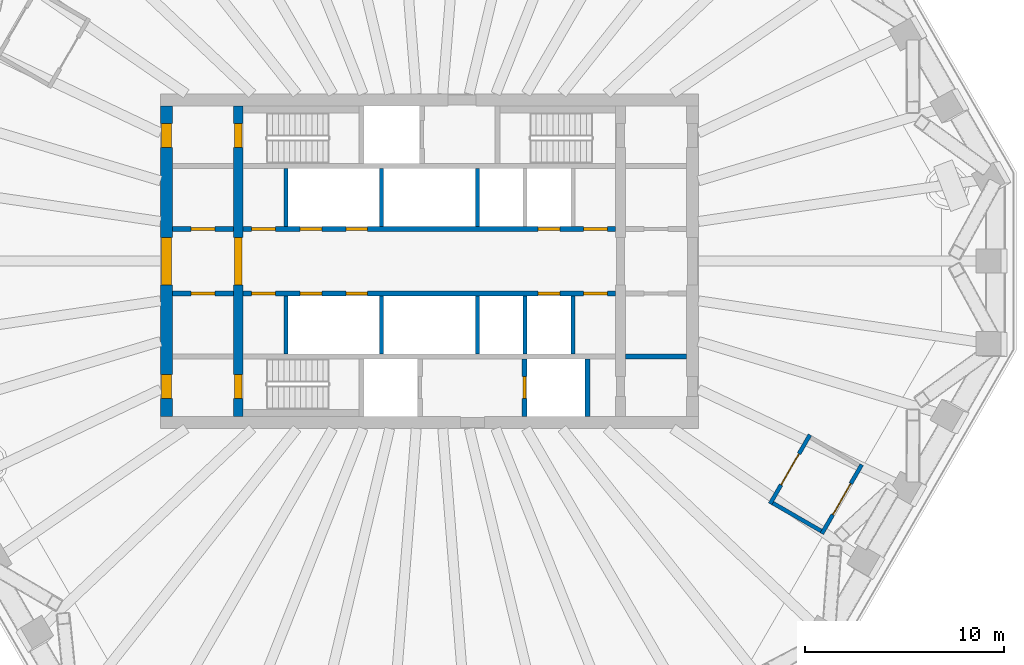
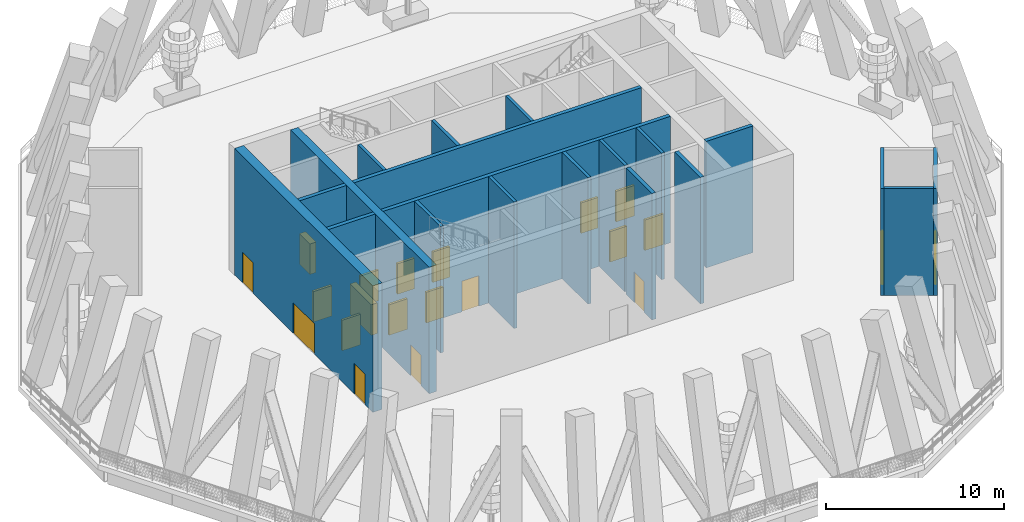
# One storey, part 4 of 11: 21 doors, 20 walls, 21 openings.
"""IFC4 building model written with IfcOpenShell, lengths in metres."""

from ifc_helpers import new_model, si_unit, direction, frame, frame_2d, origin, place, context, subcontext, project, spatial, rectangle, extrude, material, layer, layer_set, type_object, element, fill, save


model = new_model("IFC4")

# Units and contexts
model_context = context("Model", 3, precision=1e-05, world=origin(), true_north=direction((0.0, 1.0)))
body_context = subcontext(model_context, "Body", "Model", "MODEL_VIEW")
ifc_project = project(units=[si_unit("LENGTHUNIT", "METRE"), si_unit("AREAUNIT", "SQUARE_METRE"), si_unit("VOLUMEUNIT", "CUBIC_METRE"), si_unit("PLANEANGLEUNIT", "RADIAN"), si_unit("MASSUNIT", "GRAM", prefix="KILO")], contexts=[model_context])

# Site, building, storey
site_placement = place(None, origin())
site = spatial("IfcSite", under=ifc_project, at=site_placement, CompositionType="ELEMENT")
building_placement = place(site_placement, origin())
building = spatial("IfcBuilding", under=site, at=building_placement, Name="Frailejon Research Tower", CompositionType="ELEMENT")
storey_placement = place(building_placement, frame((0.0, 0.0, 202.39990234375)))
storey = spatial("IfcBuildingStorey", under=building, at=storey_placement, Name="L44", CompositionType="ELEMENT", Elevation=202.39990234375)

# Wall, openings, doors
ifc_material_1 = material(Name="Concrete C60/75", Category="concrete")
ifc_layer_1 = layer(ifc_material_1, 0.5)
ifc_layer_set_1 = layer_set([ifc_layer_1], Name="Core shear wall 500 C60/75")
wall_type_1 = type_object("IfcWallType", Name="Core shear wall 500 C60/75", PredefinedType="SHEAR", material=ifc_layer_set_1)
wall_1_placement = place(storey_placement, frame((-9.60009765625, -7.800048828125, 0.0), z_axis=(0.0, 0.0, 1.0), x_axis=(0.0, 1.0, 0.0)))
wall_1 = element("IfcWall", 1, at=wall_1_placement, inside=storey, type_object=wall_type_1, Name="Core shear wall", PredefinedType="SHEAR", context=body_context, shape_type="SweptSolid", body=[
    extrude(rectangle(XDim=15.60009765625, YDim=0.5, at=frame_2d((7.800048828125, 0.0))), origin(), (0.0, 0.0, 1.0), 8.7001953125),
])
opening_1_placement = place(wall_1_placement, frame((6.60009765625, 0.0, 0.0)))
opening_1 = element("IfcOpeningElement", 2, at=opening_1_placement, cuts=wall_1, Name="Opening D2", PredefinedType="OPENING", context=body_context, shape_type="SweptSolid", body=[
    extrude(rectangle(XDim=2.39990234375, YDim=2.10009765625, at=frame_2d((1.199951171875, 1.050048828125))), frame((0.0, 0.260009765625, 0.0), z_axis=(0.0, -1.0, 0.0), x_axis=(1.0, 0.0, 0.0)), (0.0, 0.0, 1.0), 0.52001953125),
])
opening_2_placement = place(wall_1_placement, frame((13.5, 0.0, 0.0)))
opening_2 = element("IfcOpeningElement", 3, at=opening_2_placement, cuts=wall_1, Name="Opening D1", PredefinedType="OPENING", context=body_context, shape_type="SweptSolid", body=[
    extrude(rectangle(XDim=1.199951171875, YDim=2.10009765625, at=frame_2d((0.60009765625, 1.050048828125))), frame((0.0, 0.260009765625, 0.0), z_axis=(0.0, -1.0, 0.0), x_axis=(1.0, 0.0, 0.0)), (0.0, 0.0, 1.0), 0.52001953125),
])
opening_3_placement = place(wall_1_placement, frame((0.89990234375, 0.0, 0.0)))
opening_3 = element("IfcOpeningElement", 4, at=opening_3_placement, cuts=wall_1, Name="Opening D1", PredefinedType="OPENING", context=body_context, shape_type="SweptSolid", body=[
    extrude(rectangle(XDim=1.199951171875, YDim=2.10009765625, at=frame_2d((0.60009765625, 1.050048828125))), frame((0.0, 0.260009765625, 0.0), z_axis=(0.0, -1.0, 0.0), x_axis=(1.0, 0.0, 0.0)), (0.0, 0.0, 1.0), 0.52001953125),
])
ifc_material_2 = material(Name="Steel", Category="steel")
door_type_1 = type_object("IfcDoorType", Name="Lobby double door", OperationType="DOUBLE_DOOR_SINGLE_SWING", PredefinedType="DOOR", material=ifc_material_2)
door_1_placement = place(opening_1_placement, origin())
door_1 = element("IfcDoor", 5, at=door_1_placement, inside=storey, type_object=door_type_1, Name="Lobby door", OperationType="DOUBLE_DOOR_SINGLE_SWING", OverallHeight=2.10009765625, OverallWidth=2.39990234375, PredefinedType="DOOR", context=body_context, shape_type="SweptSolid", body=[
    extrude(rectangle(XDim=2.39990234375, YDim=2.10009765625, at=frame_2d((1.199951171875, 1.050048828125))), frame((0.0, 0.199951171875, 0.0), z_axis=(0.0, -1.0, 0.0), x_axis=(1.0, 0.0, 0.0)), (0.0, 0.0, 1.0), 0.39990234375),
])
fill(opening_1, door_1)
ifc_material_3 = material(Name="Steel", Category="steel")
door_type_2 = type_object("IfcDoorType", Name="Stair door", OperationType="SINGLE_SWING_LEFT", PredefinedType="DOOR", material=ifc_material_3)
door_2_placement = place(opening_2_placement, origin())
door_2 = element("IfcDoor", 6, at=door_2_placement, inside=storey, type_object=door_type_2, Name="Stair door ST1", OperationType="SINGLE_SWING_RIGHT", OverallHeight=2.10009765625, OverallWidth=1.199951171875, PredefinedType="DOOR", context=body_context, shape_type="SweptSolid", body=[
    extrude(rectangle(XDim=1.199951171875, YDim=2.10009765625, at=frame_2d((0.60009765625, 1.050048828125))), frame((0.0, 0.199951171875, 0.0), z_axis=(0.0, -1.0, 0.0), x_axis=(1.0, 0.0, 0.0)), (0.0, 0.0, 1.0), 0.39990234375),
])
fill(opening_2, door_2)
door_3_placement = place(opening_3_placement, origin())
door_3 = element("IfcDoor", 7, at=door_3_placement, inside=storey, type_object=door_type_2, Name="Stair door ST2", OperationType="SINGLE_SWING_RIGHT", OverallHeight=2.10009765625, OverallWidth=1.199951171875, PredefinedType="DOOR", context=body_context, shape_type="SweptSolid", body=[
    extrude(rectangle(XDim=1.199951171875, YDim=2.10009765625, at=frame_2d((0.60009765625, 1.050048828125))), frame((0.0, 0.199951171875, 0.0), z_axis=(0.0, -1.0, 0.0), x_axis=(1.0, 0.0, 0.0)), (0.0, 0.0, 1.0), 0.39990234375),
])
fill(opening_3, door_3)

ifc_material_4 = material(Name="Concrete C60/75", Category="concrete")
ifc_layer_2 = layer(ifc_material_4, 0.60009765625)
ifc_layer_set_2 = layer_set([ifc_layer_2], Name="Core shear wall 600 C60/75")
wall_type_2 = type_object("IfcWallType", Name="Core shear wall 600 C60/75", PredefinedType="SHEAR", material=ifc_layer_set_2)
wall_2_placement = place(storey_placement, frame((-13.199951171875, -7.800048828125, 0.0), z_axis=(0.0, 0.0, 1.0), x_axis=(0.0, 1.0, 0.0)))
wall_2 = element("IfcWall", 8, at=wall_2_placement, inside=storey, type_object=wall_type_2, Name="Core shear wall", PredefinedType="SHEAR", context=body_context, shape_type="SweptSolid", body=[
    extrude(rectangle(XDim=15.60009765625, YDim=0.60009765625, at=frame_2d((7.800048828125, 0.0))), origin(), (0.0, 0.0, 1.0), 8.7001953125),
])
opening_4_placement = place(wall_2_placement, frame((6.60009765625, 0.0, 0.0)))
opening_4 = element("IfcOpeningElement", 9, at=opening_4_placement, cuts=wall_2, Name="Opening D2", PredefinedType="OPENING", context=body_context, shape_type="SweptSolid", body=[
    extrude(rectangle(XDim=2.39990234375, YDim=2.10009765625, at=frame_2d((1.199951171875, 1.050048828125))), frame((0.0, 0.31005859375, 0.0), z_axis=(0.0, -1.0, 0.0), x_axis=(1.0, 0.0, 0.0)), (0.0, 0.0, 1.0), 0.6201171875),
])
opening_5_placement = place(wall_2_placement, frame((13.5, 0.0, 0.0)))
opening_5 = element("IfcOpeningElement", 10, at=opening_5_placement, cuts=wall_2, Name="Opening D7", PredefinedType="OPENING", context=body_context, shape_type="SweptSolid", body=[
    extrude(rectangle(XDim=1.199951171875, YDim=2.10009765625, at=frame_2d((0.60009765625, 1.050048828125))), frame((0.0, 0.31005859375, 0.0), z_axis=(0.0, -1.0, 0.0), x_axis=(1.0, 0.0, 0.0)), (0.0, 0.0, 1.0), 0.6201171875),
])
opening_6_placement = place(wall_2_placement, frame((0.89990234375, 0.0, 0.0)))
opening_6 = element("IfcOpeningElement", 11, at=opening_6_placement, cuts=wall_2, Name="Opening D7", PredefinedType="OPENING", context=body_context, shape_type="SweptSolid", body=[
    extrude(rectangle(XDim=1.199951171875, YDim=2.10009765625, at=frame_2d((0.60009765625, 1.050048828125))), frame((0.0, 0.31005859375, 0.0), z_axis=(0.0, -1.0, 0.0), x_axis=(1.0, 0.0, 0.0)), (0.0, 0.0, 1.0), 0.6201171875),
])
door_4_placement = place(opening_4_placement, origin())
door_4 = element("IfcDoor", 12, at=door_4_placement, inside=storey, type_object=door_type_1, Name="Lobby door", OperationType="DOUBLE_DOOR_SINGLE_SWING", OverallHeight=2.10009765625, OverallWidth=2.39990234375, PredefinedType="DOOR", context=body_context, shape_type="SweptSolid", body=[
    extrude(rectangle(XDim=2.39990234375, YDim=2.10009765625, at=frame_2d((1.199951171875, 1.050048828125))), frame((0.0, 0.25, 0.0), z_axis=(0.0, -1.0, 0.0), x_axis=(1.0, 0.0, 0.0)), (0.0, 0.0, 1.0), 0.5),
])
fill(opening_4, door_4)
ifc_material_5 = material(Name="Steel", Category="steel")
door_type_3 = type_object("IfcDoorType", Name="Stair exit door", OperationType="SINGLE_SWING_LEFT", PredefinedType="DOOR", material=ifc_material_5)
door_5_placement = place(opening_5_placement, origin())
door_5 = element("IfcDoor", 13, at=door_5_placement, inside=storey, type_object=door_type_3, Name="Stair exit door ST1", OperationType="SINGLE_SWING_LEFT", OverallHeight=2.10009765625, OverallWidth=1.199951171875, PredefinedType="DOOR", context=body_context, shape_type="SweptSolid", body=[
    extrude(rectangle(XDim=1.199951171875, YDim=2.10009765625, at=frame_2d((0.60009765625, 1.050048828125))), frame((0.0, 0.25, 0.0), z_axis=(0.0, -1.0, 0.0), x_axis=(1.0, 0.0, 0.0)), (0.0, 0.0, 1.0), 0.5),
])
fill(opening_5, door_5)
door_6_placement = place(opening_6_placement, origin())
door_6 = element("IfcDoor", 14, at=door_6_placement, inside=storey, type_object=door_type_3, Name="Stair exit door ST2", OperationType="SINGLE_SWING_LEFT", OverallHeight=2.10009765625, OverallWidth=1.199951171875, PredefinedType="DOOR", context=body_context, shape_type="SweptSolid", body=[
    extrude(rectangle(XDim=1.199951171875, YDim=2.10009765625, at=frame_2d((0.60009765625, 1.050048828125))), frame((0.0, 0.25, 0.0), z_axis=(0.0, -1.0, 0.0), x_axis=(1.0, 0.0, 0.0)), (0.0, 0.0, 1.0), 0.5),
])
fill(opening_6, door_6)

# Walls
ifc_material_6 = material(Name="Concrete C60/75", Category="concrete")
ifc_layer_3 = layer(ifc_material_6, 0.199951171875)
ifc_layer_set_3 = layer_set([ifc_layer_3], Name="Shaft wall 200 C60/75")
wall_type_3 = type_object("IfcWallType", Name="Shaft wall 200 C60/75", PredefinedType="SOLIDWALL", material=ifc_layer_set_3)
for number, where, z_axis, x_axis, name in (
    (15, (-7.199951171875, 1.75, 0.0), (0.0, 0.0, 1.0), (0.0, 1.0, 0.0), "Shaft wall"),
    (16, (-2.39990234375, 1.75, 0.0), (0.0, 0.0, 1.0), (0.0, 1.0, 0.0), "Shaft wall"),
    (17, (2.39990234375, 1.75, 0.0), (0.0, 0.0, 1.0), (0.0, 1.0, 0.0), "Shaft wall"),
    (18, (-7.199951171875, -4.64990234375, 0.0), (0.0, 0.0, 1.0), (0.0, 1.0, 0.0), "Shaft wall"),
    (19, (-2.39990234375, -4.64990234375, 0.0), (0.0, 0.0, 1.0), (0.0, 1.0, 0.0), "Shaft wall"),
    (20, (2.39990234375, -4.64990234375, 0.0), (0.0, 0.0, 1.0), (0.0, 1.0, 0.0), "Shaft wall"),
    (21, (4.800048828125, -4.64990234375, 0.0), (0.0, 0.0, 1.0), (0.0, 1.0, 0.0), "Shaft wall"),
    (22, (7.199951171875, -4.64990234375, 0.0), (0.0, 0.0, 1.0), (0.0, 1.0, 0.0), "Shaft wall"),
):
    element("IfcWall", number, at=place(storey_placement, frame(where, z_axis=z_axis, x_axis=x_axis)), inside=storey, type_object=wall_type_3, Name=name, PredefinedType="SOLIDWALL", context=body_context, shape_type="SweptSolid", body=[
        extrude(rectangle(XDim=2.89990234375, YDim=0.199951171875, at=frame_2d((1.449951171875, 0.0))), origin(), (0.0, 0.0, 1.0), 8.7001953125),
    ])

# Wall, opening, door
ifc_material_7 = material(Name="Concrete C60/75", Category="concrete")
ifc_layer_4 = layer(ifc_material_7, 0.25)
ifc_layer_set_4 = layer_set([ifc_layer_4], Name="Shaft wall 250 C60/75")
wall_type_4 = type_object("IfcWallType", Name="Shaft wall 250 C60/75", PredefinedType="SOLIDWALL", material=ifc_layer_set_4)
wall_3_placement = place(storey_placement, frame((-12.89990234375, 1.625, 0.0), z_axis=(0.0, 0.0, 1.0), x_axis=(1.0, 0.0, 0.0)))
wall_3 = element("IfcWall", 23, at=wall_3_placement, inside=storey, type_object=wall_type_4, Name="Shaft wall", PredefinedType="SOLIDWALL", context=body_context, shape_type="SweptSolid", body=[
    extrude(rectangle(XDim=3.0498046875, YDim=0.25, at=frame_2d((1.52490234375, 0.0))), origin(), (0.0, 0.0, 1.0), 8.7001953125),
])
opening_7_placement = place(wall_3_placement, frame((0.925048828125, 0.0, 0.0)))
opening_7 = element("IfcOpeningElement", 24, at=opening_7_placement, cuts=wall_3, Name="Opening D6", PredefinedType="OPENING", context=body_context, shape_type="SweptSolid", body=[
    extrude(rectangle(XDim=1.199951171875, YDim=2.10009765625, at=frame_2d((0.60009765625, 1.050048828125))), frame((0.0, 0.135009765625, 0.0), z_axis=(0.0, -1.0, 0.0), x_axis=(1.0, 0.0, 0.0)), (0.0, 0.0, 1.0), 0.27001953125),
])
ifc_material_8 = material(Name="Steel", Category="steel")
door_type_4 = type_object("IfcDoorType", Name="Plant door", OperationType="SINGLE_SWING_LEFT", PredefinedType="DOOR", material=ifc_material_8)
door_7_placement = place(opening_7_placement, origin())
door_7 = element("IfcDoor", 25, at=door_7_placement, inside=storey, type_object=door_type_4, Name="Room door", OperationType="SINGLE_SWING_RIGHT", OverallHeight=2.10009765625, OverallWidth=1.199951171875, PredefinedType="DOOR", context=body_context, shape_type="SweptSolid", body=[
    extrude(rectangle(XDim=1.199951171875, YDim=2.10009765625, at=frame_2d((0.60009765625, 1.050048828125))), frame((0.0, 0.074951171875, 0.0), z_axis=(0.0, -1.0, 0.0), x_axis=(1.0, 0.0, 0.0)), (0.0, 0.0, 1.0), 0.14990234375),
])
fill(opening_7, door_7)

# Wall, openings, doors
wall_4_placement = place(storey_placement, frame((-9.35009765625, 1.625, 0.0), z_axis=(0.0, 0.0, 1.0), x_axis=(1.0, 0.0, 0.0)))
wall_4 = element("IfcWall", 26, at=wall_4_placement, inside=storey, type_object=wall_type_4, Name="Shaft wall", PredefinedType="SOLIDWALL", context=body_context, shape_type="SweptSolid", body=[
    extrude(rectangle(XDim=18.7001953125, YDim=0.25, at=frame_2d((9.35009765625, 0.0))), origin(), (0.0, 0.0, 1.0), 8.7001953125),
])
opening_8_placement = place(wall_4_placement, frame((2.85009765625, 0.0, 0.0)))
opening_8 = element("IfcOpeningElement", 27, at=opening_8_placement, cuts=wall_4, Name="Opening LD", PredefinedType="OPENING", context=body_context, shape_type="SweptSolid", body=[
    extrude(rectangle(XDim=1.10009765625, YDim=2.10009765625, at=frame_2d((0.550048828125, 1.050048828125))), frame((0.0, 0.135009765625, 0.0), z_axis=(0.0, -1.0, 0.0), x_axis=(1.0, 0.0, 0.0)), (0.0, 0.0, 1.0), 0.27001953125),
])
opening_9_placement = place(wall_4_placement, frame((5.14990234375, 0.0, 0.0)))
opening_9 = element("IfcOpeningElement", 28, at=opening_9_placement, cuts=wall_4, Name="Opening LD", PredefinedType="OPENING", context=body_context, shape_type="SweptSolid", body=[
    extrude(rectangle(XDim=1.10009765625, YDim=2.10009765625, at=frame_2d((0.550048828125, 1.050048828125))), frame((0.0, 0.135009765625, 0.0), z_axis=(0.0, -1.0, 0.0), x_axis=(1.0, 0.0, 0.0)), (0.0, 0.0, 1.0), 0.27001953125),
])
opening_10_placement = place(wall_4_placement, frame((14.800048828125, 0.0, 0.0)))
opening_10 = element("IfcOpeningElement", 29, at=opening_10_placement, cuts=wall_4, Name="Opening LD", PredefinedType="OPENING", context=body_context, shape_type="SweptSolid", body=[
    extrude(rectangle(XDim=1.10009765625, YDim=2.10009765625, at=frame_2d((0.550048828125, 1.050048828125))), frame((0.0, 0.135009765625, 0.0), z_axis=(0.0, -1.0, 0.0), x_axis=(1.0, 0.0, 0.0)), (0.0, 0.0, 1.0), 0.27001953125),
])
opening_11_placement = place(wall_4_placement, frame((0.425048828125, 0.0, 0.0)))
opening_11 = element("IfcOpeningElement", 30, at=opening_11_placement, cuts=wall_4, Name="Opening D6", PredefinedType="OPENING", context=body_context, shape_type="SweptSolid", body=[
    extrude(rectangle(XDim=1.199951171875, YDim=2.10009765625, at=frame_2d((0.60009765625, 1.050048828125))), frame((0.0, 0.135009765625, 0.0), z_axis=(0.0, -1.0, 0.0), x_axis=(1.0, 0.0, 0.0)), (0.0, 0.0, 1.0), 0.27001953125),
])
opening_12_placement = place(wall_4_placement, frame((17.074951171875, 0.0, 0.0)))
opening_12 = element("IfcOpeningElement", 31, at=opening_12_placement, cuts=wall_4, Name="Opening D5", PredefinedType="OPENING", context=body_context, shape_type="SweptSolid", body=[
    extrude(rectangle(XDim=1.199951171875, YDim=2.10009765625, at=frame_2d((0.60009765625, 1.050048828125))), frame((0.0, 0.135009765625, 0.0), z_axis=(0.0, -1.0, 0.0), x_axis=(1.0, 0.0, 0.0)), (0.0, 0.0, 1.0), 0.27001953125),
])
ifc_material_9 = material(Name="Steel", Category="steel")
door_type_5 = type_object("IfcDoorType", Name="Lift landing door", OperationType="DOUBLE_DOOR_SLIDING", PredefinedType="DOOR", material=ifc_material_9)
door_8_placement = place(opening_8_placement, origin())
door_8 = element("IfcDoor", 32, at=door_8_placement, inside=storey, type_object=door_type_5, Name="Lift landing door", OperationType="DOUBLE_DOOR_SLIDING", OverallHeight=2.10009765625, OverallWidth=1.10009765625, PredefinedType="DOOR", context=body_context, shape_type="SweptSolid", body=[
    extrude(rectangle(XDim=1.10009765625, YDim=2.10009765625, at=frame_2d((0.550048828125, 1.050048828125))), frame((0.0, 0.074951171875, 0.0), z_axis=(0.0, -1.0, 0.0), x_axis=(1.0, 0.0, 0.0)), (0.0, 0.0, 1.0), 0.14990234375),
])
fill(opening_8, door_8)
door_9_placement = place(opening_9_placement, origin())
door_9 = element("IfcDoor", 33, at=door_9_placement, inside=storey, type_object=door_type_5, Name="Lift landing door", OperationType="DOUBLE_DOOR_SLIDING", OverallHeight=2.10009765625, OverallWidth=1.10009765625, PredefinedType="DOOR", context=body_context, shape_type="SweptSolid", body=[
    extrude(rectangle(XDim=1.10009765625, YDim=2.10009765625, at=frame_2d((0.550048828125, 1.050048828125))), frame((0.0, 0.074951171875, 0.0), z_axis=(0.0, -1.0, 0.0), x_axis=(1.0, 0.0, 0.0)), (0.0, 0.0, 1.0), 0.14990234375),
])
fill(opening_9, door_9)
door_10_placement = place(opening_10_placement, origin())
door_10 = element("IfcDoor", 34, at=door_10_placement, inside=storey, type_object=door_type_5, Name="Lift landing door", OperationType="DOUBLE_DOOR_SLIDING", OverallHeight=2.10009765625, OverallWidth=1.10009765625, PredefinedType="DOOR", context=body_context, shape_type="SweptSolid", body=[
    extrude(rectangle(XDim=1.10009765625, YDim=2.10009765625, at=frame_2d((0.550048828125, 1.050048828125))), frame((0.0, 0.074951171875, 0.0), z_axis=(0.0, -1.0, 0.0), x_axis=(1.0, 0.0, 0.0)), (0.0, 0.0, 1.0), 0.14990234375),
])
fill(opening_10, door_10)
door_11_placement = place(opening_11_placement, origin())
door_11 = element("IfcDoor", 35, at=door_11_placement, inside=storey, type_object=door_type_4, Name="Room door", OperationType="SINGLE_SWING_LEFT", OverallHeight=2.10009765625, OverallWidth=1.199951171875, PredefinedType="DOOR", context=body_context, shape_type="SweptSolid", body=[
    extrude(rectangle(XDim=1.199951171875, YDim=2.10009765625, at=frame_2d((0.60009765625, 1.050048828125))), frame((0.0, 0.074951171875, 0.0), z_axis=(0.0, -1.0, 0.0), x_axis=(1.0, 0.0, 0.0)), (0.0, 0.0, 1.0), 0.14990234375),
])
fill(opening_11, door_11)
ifc_material_10 = material(Name="Steel", Category="steel")
door_type_6 = type_object("IfcDoorType", Name="Refuge door", OperationType="SINGLE_SWING_LEFT", PredefinedType="DOOR", material=ifc_material_10)
door_12_placement = place(opening_12_placement, origin())
door_12 = element("IfcDoor", 36, at=door_12_placement, inside=storey, type_object=door_type_6, Name="Room door", OperationType="SINGLE_SWING_RIGHT", OverallHeight=2.10009765625, OverallWidth=1.199951171875, PredefinedType="DOOR", context=body_context, shape_type="SweptSolid", body=[
    extrude(rectangle(XDim=1.199951171875, YDim=2.10009765625, at=frame_2d((0.60009765625, 1.050048828125))), frame((0.0, 0.074951171875, 0.0), z_axis=(0.0, -1.0, 0.0), x_axis=(1.0, 0.0, 0.0)), (0.0, 0.0, 1.0), 0.14990234375),
])
fill(opening_12, door_12)

# Wall, opening, door
wall_5_placement = place(storey_placement, frame((-12.89990234375, -1.625, 0.0), z_axis=(0.0, 0.0, 1.0), x_axis=(1.0, 0.0, 0.0)))
wall_5 = element("IfcWall", 37, at=wall_5_placement, inside=storey, type_object=wall_type_4, Name="Shaft wall", PredefinedType="SOLIDWALL", context=body_context, shape_type="SweptSolid", body=[
    extrude(rectangle(XDim=3.0498046875, YDim=0.25, at=frame_2d((1.52490234375, 0.0))), origin(), (0.0, 0.0, 1.0), 8.7001953125),
])
opening_13_placement = place(wall_5_placement, frame((0.925048828125, 0.0, 0.0)))
opening_13 = element("IfcOpeningElement", 38, at=opening_13_placement, cuts=wall_5, Name="Opening D6", PredefinedType="OPENING", context=body_context, shape_type="SweptSolid", body=[
    extrude(rectangle(XDim=1.199951171875, YDim=2.10009765625, at=frame_2d((0.60009765625, 1.050048828125))), frame((0.0, 0.135009765625, 0.0), z_axis=(0.0, -1.0, 0.0), x_axis=(1.0, 0.0, 0.0)), (0.0, 0.0, 1.0), 0.27001953125),
])
door_13_placement = place(opening_13_placement, origin())
door_13 = element("IfcDoor", 39, at=door_13_placement, inside=storey, type_object=door_type_4, Name="Room door", OperationType="SINGLE_SWING_RIGHT", OverallHeight=2.10009765625, OverallWidth=1.199951171875, PredefinedType="DOOR", context=body_context, shape_type="SweptSolid", body=[
    extrude(rectangle(XDim=1.199951171875, YDim=2.10009765625, at=frame_2d((0.60009765625, 1.050048828125))), frame((0.0, 0.074951171875, 0.0), z_axis=(0.0, -1.0, 0.0), x_axis=(1.0, 0.0, 0.0)), (0.0, 0.0, 1.0), 0.14990234375),
])
fill(opening_13, door_13)

# Wall, openings, doors
wall_6_placement = place(storey_placement, frame((-9.35009765625, -1.625, 0.0), z_axis=(0.0, 0.0, 1.0), x_axis=(1.0, 0.0, 0.0)))
wall_6 = element("IfcWall", 40, at=wall_6_placement, inside=storey, type_object=wall_type_4, Name="Shaft wall", PredefinedType="SOLIDWALL", context=body_context, shape_type="SweptSolid", body=[
    extrude(rectangle(XDim=18.7001953125, YDim=0.25, at=frame_2d((9.35009765625, 0.0))), origin(), (0.0, 0.0, 1.0), 8.7001953125),
])
opening_14_placement = place(wall_6_placement, frame((2.85009765625, 0.0, 0.0)))
opening_14 = element("IfcOpeningElement", 41, at=opening_14_placement, cuts=wall_6, Name="Opening LD", PredefinedType="OPENING", context=body_context, shape_type="SweptSolid", body=[
    extrude(rectangle(XDim=1.10009765625, YDim=2.10009765625, at=frame_2d((0.550048828125, 1.050048828125))), frame((0.0, 0.135009765625, 0.0), z_axis=(0.0, -1.0, 0.0), x_axis=(1.0, 0.0, 0.0)), (0.0, 0.0, 1.0), 0.27001953125),
])
opening_15_placement = place(wall_6_placement, frame((5.14990234375, 0.0, 0.0)))
opening_15 = element("IfcOpeningElement", 42, at=opening_15_placement, cuts=wall_6, Name="Opening LD", PredefinedType="OPENING", context=body_context, shape_type="SweptSolid", body=[
    extrude(rectangle(XDim=1.10009765625, YDim=2.10009765625, at=frame_2d((0.550048828125, 1.050048828125))), frame((0.0, 0.135009765625, 0.0), z_axis=(0.0, -1.0, 0.0), x_axis=(1.0, 0.0, 0.0)), (0.0, 0.0, 1.0), 0.27001953125),
])
opening_16_placement = place(wall_6_placement, frame((14.800048828125, 0.0, 0.0)))
opening_16 = element("IfcOpeningElement", 43, at=opening_16_placement, cuts=wall_6, Name="Opening LD", PredefinedType="OPENING", context=body_context, shape_type="SweptSolid", body=[
    extrude(rectangle(XDim=1.10009765625, YDim=2.10009765625, at=frame_2d((0.550048828125, 1.050048828125))), frame((0.0, 0.135009765625, 0.0), z_axis=(0.0, -1.0, 0.0), x_axis=(1.0, 0.0, 0.0)), (0.0, 0.0, 1.0), 0.27001953125),
])
opening_17_placement = place(wall_6_placement, frame((0.425048828125, 0.0, 0.0)))
opening_17 = element("IfcOpeningElement", 44, at=opening_17_placement, cuts=wall_6, Name="Opening D6", PredefinedType="OPENING", context=body_context, shape_type="SweptSolid", body=[
    extrude(rectangle(XDim=1.199951171875, YDim=2.10009765625, at=frame_2d((0.60009765625, 1.050048828125))), frame((0.0, 0.135009765625, 0.0), z_axis=(0.0, -1.0, 0.0), x_axis=(1.0, 0.0, 0.0)), (0.0, 0.0, 1.0), 0.27001953125),
])
opening_18_placement = place(wall_6_placement, frame((17.074951171875, 0.0, 0.0)))
opening_18 = element("IfcOpeningElement", 45, at=opening_18_placement, cuts=wall_6, Name="Opening D6", PredefinedType="OPENING", context=body_context, shape_type="SweptSolid", body=[
    extrude(rectangle(XDim=1.199951171875, YDim=2.10009765625, at=frame_2d((0.60009765625, 1.050048828125))), frame((0.0, 0.135009765625, 0.0), z_axis=(0.0, -1.0, 0.0), x_axis=(1.0, 0.0, 0.0)), (0.0, 0.0, 1.0), 0.27001953125),
])
door_14_placement = place(opening_14_placement, origin())
door_14 = element("IfcDoor", 46, at=door_14_placement, inside=storey, type_object=door_type_5, Name="Lift landing door", OperationType="DOUBLE_DOOR_SLIDING", OverallHeight=2.10009765625, OverallWidth=1.10009765625, PredefinedType="DOOR", context=body_context, shape_type="SweptSolid", body=[
    extrude(rectangle(XDim=1.10009765625, YDim=2.10009765625, at=frame_2d((0.550048828125, 1.050048828125))), frame((0.0, 0.074951171875, 0.0), z_axis=(0.0, -1.0, 0.0), x_axis=(1.0, 0.0, 0.0)), (0.0, 0.0, 1.0), 0.14990234375),
])
fill(opening_14, door_14)
door_15_placement = place(opening_15_placement, origin())
door_15 = element("IfcDoor", 47, at=door_15_placement, inside=storey, type_object=door_type_5, Name="Lift landing door", OperationType="DOUBLE_DOOR_SLIDING", OverallHeight=2.10009765625, OverallWidth=1.10009765625, PredefinedType="DOOR", context=body_context, shape_type="SweptSolid", body=[
    extrude(rectangle(XDim=1.10009765625, YDim=2.10009765625, at=frame_2d((0.550048828125, 1.050048828125))), frame((0.0, 0.074951171875, 0.0), z_axis=(0.0, -1.0, 0.0), x_axis=(1.0, 0.0, 0.0)), (0.0, 0.0, 1.0), 0.14990234375),
])
fill(opening_15, door_15)
door_16_placement = place(opening_16_placement, origin())
door_16 = element("IfcDoor", 48, at=door_16_placement, inside=storey, type_object=door_type_5, Name="Lift landing door", OperationType="DOUBLE_DOOR_SLIDING", OverallHeight=2.10009765625, OverallWidth=1.10009765625, PredefinedType="DOOR", context=body_context, shape_type="SweptSolid", body=[
    extrude(rectangle(XDim=1.10009765625, YDim=2.10009765625, at=frame_2d((0.550048828125, 1.050048828125))), frame((0.0, 0.074951171875, 0.0), z_axis=(0.0, -1.0, 0.0), x_axis=(1.0, 0.0, 0.0)), (0.0, 0.0, 1.0), 0.14990234375),
])
fill(opening_16, door_16)
door_17_placement = place(opening_17_placement, origin())
door_17 = element("IfcDoor", 49, at=door_17_placement, inside=storey, type_object=door_type_4, Name="Room door", OperationType="SINGLE_SWING_LEFT", OverallHeight=2.10009765625, OverallWidth=1.199951171875, PredefinedType="DOOR", context=body_context, shape_type="SweptSolid", body=[
    extrude(rectangle(XDim=1.199951171875, YDim=2.10009765625, at=frame_2d((0.60009765625, 1.050048828125))), frame((0.0, 0.074951171875, 0.0), z_axis=(0.0, -1.0, 0.0), x_axis=(1.0, 0.0, 0.0)), (0.0, 0.0, 1.0), 0.14990234375),
])
fill(opening_17, door_17)
door_18_placement = place(opening_18_placement, origin())
door_18 = element("IfcDoor", 50, at=door_18_placement, inside=storey, type_object=door_type_4, Name="Room door", OperationType="SINGLE_SWING_RIGHT", OverallHeight=2.10009765625, OverallWidth=1.199951171875, PredefinedType="DOOR", context=body_context, shape_type="SweptSolid", body=[
    extrude(rectangle(XDim=1.199951171875, YDim=2.10009765625, at=frame_2d((0.60009765625, 1.050048828125))), frame((0.0, 0.074951171875, 0.0), z_axis=(0.0, -1.0, 0.0), x_axis=(1.0, 0.0, 0.0)), (0.0, 0.0, 1.0), 0.14990234375),
])
fill(opening_18, door_18)

# Wall
wall_7_placement = place(storey_placement, frame((9.85009765625, -4.77490234375, 0.0), z_axis=(0.0, 0.0, 1.0), x_axis=(1.0, 0.0, 0.0)))
element("IfcWall", 51, at=wall_7_placement, inside=storey, type_object=wall_type_4, Name="Shaft wall", PredefinedType="SOLIDWALL", context=body_context, shape_type="SweptSolid", body=[
    extrude(rectangle(XDim=3.0498046875, YDim=0.25, at=frame_2d((1.52490234375, 0.0))), origin(), (0.0, 0.0, 1.0), 8.7001953125),
])

# Wall, opening, door
wall_8_placement = place(storey_placement, frame((4.77490234375, -7.800048828125, 0.0), z_axis=(0.0, 0.0, 1.0), x_axis=(0.0, 1.0, 0.0)))
wall_8 = element("IfcWall", 52, at=wall_8_placement, inside=storey, type_object=wall_type_4, Name="Shaft wall", PredefinedType="SOLIDWALL", context=body_context, shape_type="SweptSolid", body=[
    extrude(rectangle(XDim=2.900146484375, YDim=0.25, at=frame_2d((1.4501953125, 0.0))), origin(), (0.0, 0.0, 1.0), 8.7001953125),
])
opening_19_placement = place(wall_8_placement, frame((0.89990234375, 0.0, 0.0)))
opening_19 = element("IfcOpeningElement", 53, at=opening_19_placement, cuts=wall_8, Name="Opening LD", PredefinedType="OPENING", context=body_context, shape_type="SweptSolid", body=[
    extrude(rectangle(XDim=1.10009765625, YDim=2.10009765625, at=frame_2d((0.550048828125, 1.050048828125))), frame((0.0, 0.135009765625, 0.0), z_axis=(0.0, -1.0, 0.0), x_axis=(1.0, 0.0, 0.0)), (0.0, 0.0, 1.0), 0.27001953125),
])
door_19_placement = place(opening_19_placement, origin())
door_19 = element("IfcDoor", 54, at=door_19_placement, inside=storey, type_object=door_type_5, Name="Lift landing door", OperationType="DOUBLE_DOOR_SLIDING", OverallHeight=2.10009765625, OverallWidth=1.10009765625, PredefinedType="DOOR", context=body_context, shape_type="SweptSolid", body=[
    extrude(rectangle(XDim=1.10009765625, YDim=2.10009765625, at=frame_2d((0.550048828125, 1.050048828125))), frame((0.0, 0.074951171875, 0.0), z_axis=(0.0, -1.0, 0.0), x_axis=(1.0, 0.0, 0.0)), (0.0, 0.0, 1.0), 0.14990234375),
])
fill(opening_19, door_19)

# Wall
wall_9_placement = place(storey_placement, frame((7.925048828125, -7.800048828125, 0.0), z_axis=(0.0, 0.0, 1.0), x_axis=(0.0, 1.0, 0.0)))
element("IfcWall", 55, at=wall_9_placement, inside=storey, type_object=wall_type_4, Name="Shaft wall", PredefinedType="SOLIDWALL", context=body_context, shape_type="SweptSolid", body=[
    extrude(rectangle(XDim=2.900146484375, YDim=0.25, at=frame_2d((1.4501953125, 0.0))), origin(), (0.0, 0.0, 1.0), 8.7001953125),
])

# Wall, opening, door
ifc_material_11 = material(Name="Concrete C40/50 precast window wall panel", Category="concrete")
ifc_layer_5 = layer(ifc_material_11, 0.199951171875)
ifc_layer_set_5 = layer_set([ifc_layer_5], Name="Window wall 200")
wall_type_5 = type_object("IfcWallType", Name="Window wall 200", PredefinedType="SOLIDWALL", material=ifc_layer_set_5)
wall_10_placement = place(storey_placement, frame((19.697998046875, -13.68212890625, 0.0), z_axis=(0.0, 0.0, 1.0), x_axis=(0.49999894854, 0.866026010844, 0.0)))
wall_10 = element("IfcWall", 56, at=wall_10_placement, inside=storey, type_object=wall_type_5, Name="Terrace lobby wall L44", PredefinedType="SOLIDWALL", context=body_context, shape_type="SweptSolid", body=[
    extrude(rectangle(XDim=4.0, YDim=0.199951171875, at=frame_2d((2.0, 0.0))), origin(), (0.0, 0.0, 1.0), 7.35009765625),
])
opening_20_placement = place(wall_10_placement, frame((1.10009765625, 0.0, 0.0)))
opening_20 = element("IfcOpeningElement", 57, at=opening_20_placement, cuts=wall_10, Name="Opening WT44-2", PredefinedType="OPENING", context=body_context, shape_type="SweptSolid", body=[
    extrude(rectangle(XDim=1.800048828125, YDim=2.39990234375, at=frame_2d((0.89990234375, 1.199951171875))), frame((0.0, 0.10986328125, 0.0), z_axis=(0.0, -1.0, 0.0), x_axis=(1.0, 0.0, 0.0)), (0.0, 0.0, 1.0), 0.219970703125),
])
ifc_material_12 = material(Name="Aluminium framed glazed door leaf", Category="aluminium")
door_type_7 = type_object("IfcDoorType", Name="Terrace door 1800x2400", OperationType="DOUBLE_DOOR_SINGLE_SWING", PredefinedType="DOOR", material=ifc_material_12)
door_20_placement = place(opening_20_placement, origin())
door_20 = element("IfcDoor", 58, at=door_20_placement, inside=storey, type_object=door_type_7, Name="Door WT44-2", OperationType="DOUBLE_DOOR_SINGLE_SWING", OverallHeight=2.39990234375, OverallWidth=1.800048828125, PredefinedType="DOOR", context=body_context, shape_type="SweptSolid", body=[
    extrude(rectangle(XDim=1.800048828125, YDim=2.39990234375, at=frame_2d((0.89990234375, 1.199951171875))), frame((0.0, 0.02490234375, 0.0), z_axis=(0.0, -1.0, 0.0), x_axis=(1.0, 0.0, 0.0)), (0.0, 0.0, 1.0), 0.050048828125),
])
fill(opening_20, door_20)

# Wall
wall_11_placement = place(storey_placement, frame((19.661376953125, -13.54541015625, 0.0), z_axis=(0.0, 0.0, 1.0), x_axis=(-0.866034573852, 0.49998411664, 0.0)))
element("IfcWall", 59, at=wall_11_placement, inside=storey, type_object=wall_type_5, Name="Terrace lobby wall L44", PredefinedType="SOLIDWALL", context=body_context, shape_type="SweptSolid", body=[
    extrude(rectangle(XDim=2.7998046875, YDim=0.199951171875, at=frame_2d((1.39990234375, 0.0))), origin(), (0.0, 0.0, 1.0), 7.35009765625),
])

# Wall, opening, door
wall_12_placement = place(storey_placement, frame((17.099853515625, -12.18212890625, 0.0), z_axis=(0.0, 0.0, 1.0), x_axis=(0.49999894854, 0.866026010844, 0.0)))
wall_12 = element("IfcWall", 60, at=wall_12_placement, inside=storey, type_object=wall_type_5, Name="Terrace lobby wall L44", PredefinedType="SOLIDWALL", context=body_context, shape_type="SweptSolid", body=[
    extrude(rectangle(XDim=4.0, YDim=0.199951171875, at=frame_2d((2.0, 0.0))), origin(), (0.0, 0.0, 1.0), 7.35009765625),
])
opening_21_placement = place(wall_12_placement, frame((1.10009765625, 0.0, 0.0)))
opening_21 = element("IfcOpeningElement", 61, at=opening_21_placement, cuts=wall_12, Name="Opening WT44-2A", PredefinedType="OPENING", context=body_context, shape_type="SweptSolid", body=[
    extrude(rectangle(XDim=1.800048828125, YDim=2.39990234375, at=frame_2d((0.89990234375, 1.199951171875))), frame((0.0, 0.10986328125, 0.0), z_axis=(0.0, -1.0, 0.0), x_axis=(1.0, 0.0, 0.0)), (0.0, 0.0, 1.0), 0.219970703125),
])
door_21_placement = place(opening_21_placement, origin())
door_21 = element("IfcDoor", 62, at=door_21_placement, inside=storey, type_object=door_type_7, Name="Door WT44-2A", OperationType="DOUBLE_DOOR_SINGLE_SWING", OverallHeight=2.39990234375, OverallWidth=1.800048828125, PredefinedType="DOOR", context=body_context, shape_type="SweptSolid", body=[
    extrude(rectangle(XDim=1.800048828125, YDim=2.39990234375, at=frame_2d((0.89990234375, 1.199951171875))), frame((0.0, 0.02490234375, 0.0), z_axis=(0.0, -1.0, 0.0), x_axis=(1.0, 0.0, 0.0)), (0.0, 0.0, 1.0), 0.050048828125),
])
fill(opening_21, door_21)

save(model, "model.ifc")
